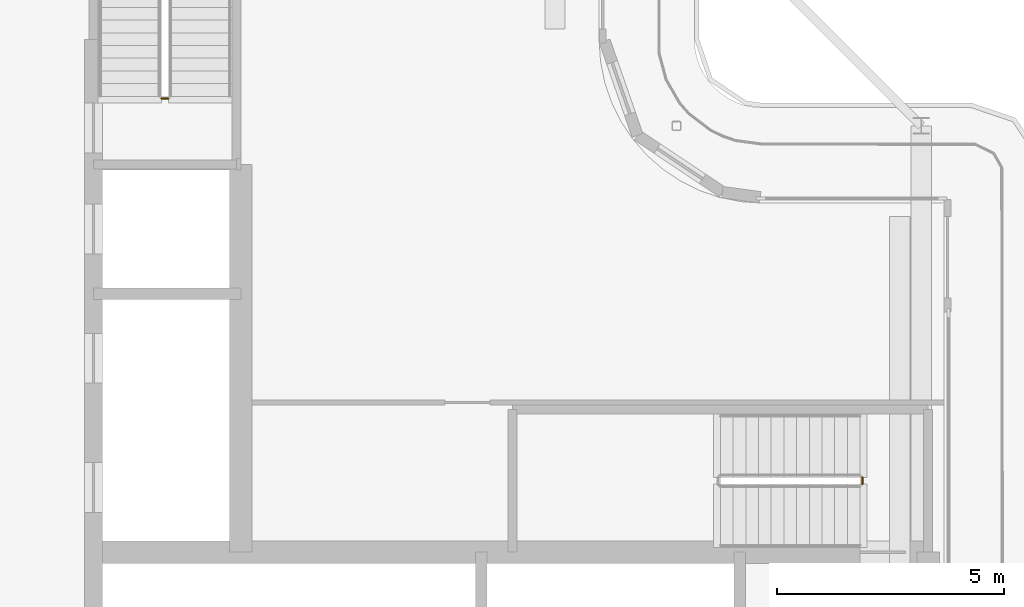
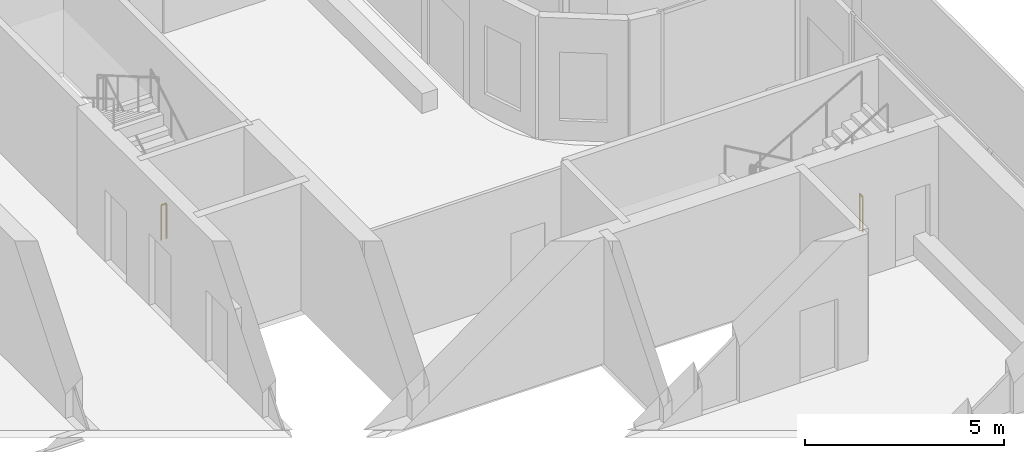
# One storey, part 14 of 18: 2 railings.
"""IFC4 building model written with IfcOpenShell, lengths in metres."""

from ifc_helpers import new_model, si_unit, direction, frame, origin, origin_2d, place, context, subcontext, project, spatial, circle, extrude, material, type_object, element, save


model = new_model("IFC4")

# Units and contexts
model_context = context("Model", 3, precision=1e-05, world=origin(), true_north=direction((0.0, 1.0)))
body_context = subcontext(model_context, "Body", "Model", "MODEL_VIEW")
ifc_project = project(units=[si_unit("LENGTHUNIT", "METRE"), si_unit("AREAUNIT", "SQUARE_METRE"), si_unit("VOLUMEUNIT", "CUBIC_METRE"), si_unit("PLANEANGLEUNIT", "RADIAN"), si_unit("MASSUNIT", "GRAM", prefix="KILO")], contexts=[model_context])

# Site, building, storey
site_placement = place(None, origin())
site = spatial("IfcSite", under=ifc_project, at=site_placement, CompositionType="ELEMENT")
building_placement = place(site_placement, origin())
building = spatial("IfcBuilding", under=site, at=building_placement, Name="Kheshtan School and Residences Tower", CompositionType="ELEMENT")
storey_placement = place(building_placement, frame((0.0, 0.0, 365.60009765625)))
storey = spatial("IfcBuildingStorey", under=building, at=storey_placement, Name="L86", CompositionType="ELEMENT", Elevation=365.60009765625)

# Railings
ifc_material = material(Name="Stainless steel balustrade", Category="steel")
railing_type = type_object("IfcRailingType", Name="Stair guard 1100", PredefinedType="GUARDRAIL", material=ifc_material)
railing_1_placement = place(storey_placement, frame((51.699951171875, 37.85009765625, 0.0)))
element("IfcRailing", 1, at=railing_1_placement, inside=storey, type_object=railing_type, Name="L86 ST1 stair guard 2", PredefinedType="GUARDRAIL", context=body_context, shape_type="SweptSolid", body=[
    extrude(circle(Radius=0.02392578125, at=origin_2d()), frame((0.0, 0.0, 1.076171875), z_axis=(0.0, -1.0, 0.0), x_axis=(1.0, 0.0, 0.0)), (0.0, 0.0, 1.0), 0.150146484375),
    extrude(circle(Radius=0.02099609375, at=origin_2d()), origin(), (0.0, 0.0, 1.0), 1.052001953125),
    extrude(circle(Radius=0.02099609375, at=origin_2d()), frame((0.0, -0.150146484375, 0.0)), (0.0, 0.0, 1.0), 1.052001953125),
])
railing_2_placement = place(storey_placement, frame((36.39990234375, 46.199951171875, 0.0)))
element("IfcRailing", 2, at=railing_2_placement, inside=storey, type_object=railing_type, Name="L86 ST2 stair guard 2", PredefinedType="GUARDRAIL", context=body_context, shape_type="SweptSolid", body=[
    extrude(circle(Radius=0.02392578125, at=origin_2d()), frame((0.0, 0.0, 1.076171875), z_axis=(-1.0, 0.0, 0.0), x_axis=(0.0, -1.0, 0.0)), (0.0, 0.0, 1.0), 0.14990234375),
    extrude(circle(Radius=0.02099609375, at=origin_2d()), origin(), (0.0, 0.0, 1.0), 1.052001953125),
    extrude(circle(Radius=0.02099609375, at=origin_2d()), frame((-0.14990234375, 0.0, 0.0)), (0.0, 0.0, 1.0), 1.052001953125),
])

save(model, "model.ifc")
